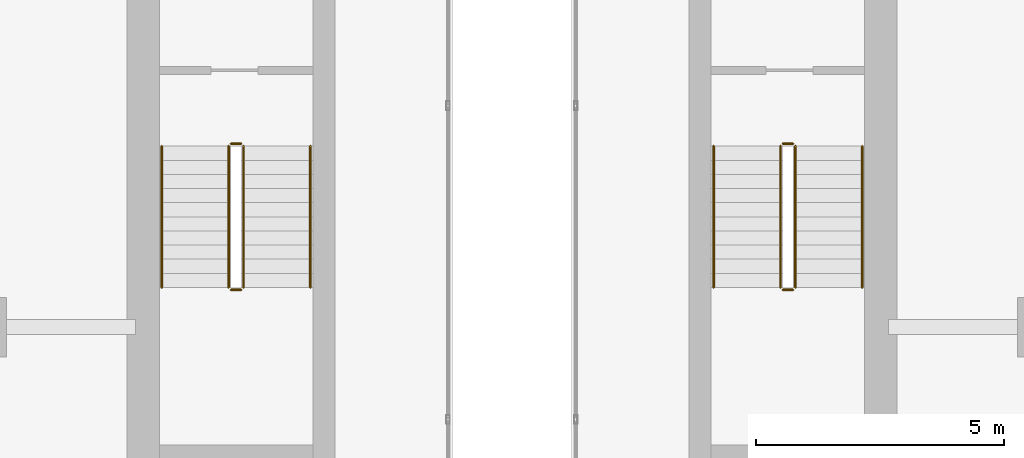
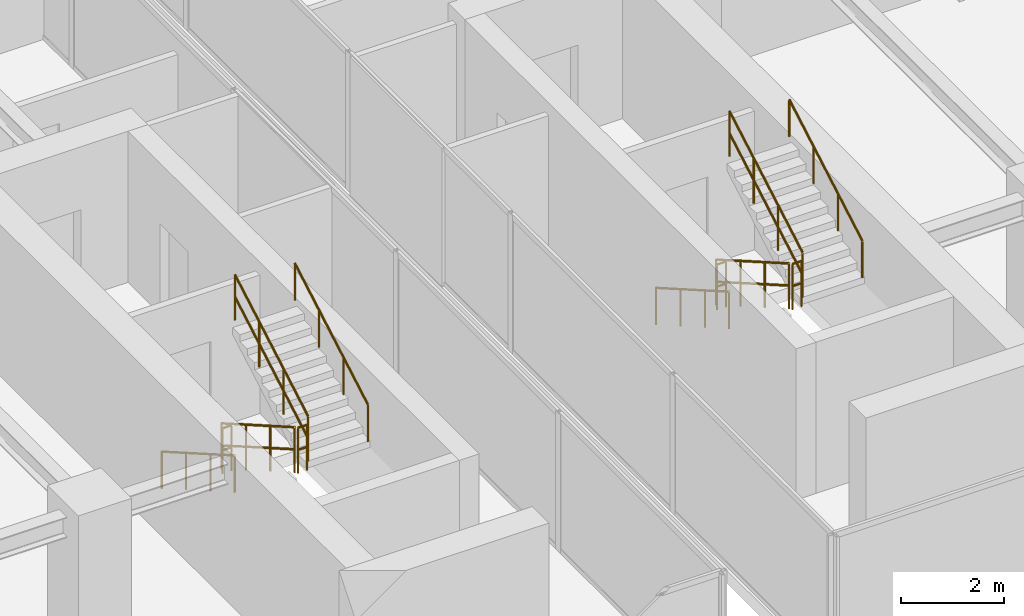
# One storey, part 25 of 25: 12 railings.
"""IFC4 building model written with IfcOpenShell, lengths in metres."""

from ifc_helpers import new_model, si_unit, direction, frame, origin, origin_2d, place, context, subcontext, project, spatial, circle, extrude, material, layer, layer_set, type_object, element, save


model = new_model("IFC4")

# Units and contexts
model_context = context("Model", 3, precision=1e-05, world=origin(), true_north=direction((0.0, 1.0)))
body_context = subcontext(model_context, "Body", "Model", "MODEL_VIEW")
ifc_project = project(units=[si_unit("LENGTHUNIT", "METRE"), si_unit("AREAUNIT", "SQUARE_METRE"), si_unit("VOLUMEUNIT", "CUBIC_METRE"), si_unit("PLANEANGLEUNIT", "RADIAN"), si_unit("MASSUNIT", "GRAM", prefix="KILO")], contexts=[model_context])

# Site, building, storey
site_placement = place(None, origin())
site = spatial("IfcSite", under=ifc_project, at=site_placement, CompositionType="ELEMENT")
building_placement = place(site_placement, origin())
building = spatial("IfcBuilding", under=site, at=building_placement, Name="Krantzveldt Concourse Tower", CompositionType="ELEMENT")
storey_placement = place(building_placement, frame((0.0, 0.0, 374.64990234375)))
storey = spatial("IfcBuildingStorey", under=building, at=storey_placement, Name="L92", CompositionType="ELEMENT", Elevation=374.64990234375)

# Railings
ifc_material = material(Name="Stainless steel 316L", Category="steel")
ifc_layer_1 = layer(ifc_material, 0.06005859375, Name="Stainless steel 316L", Category="steel")
ifc_layer_set_1 = layer_set([ifc_layer_1], Name="Stainless steel 316L (RL-GUARD-1120)")
railing_type_1 = type_object("IfcRailingType", Name="RL-GUARD-1120", PredefinedType="GUARDRAIL", material=ifc_layer_set_1)
railing_1_placement = place(storey_placement, frame((30.280029296875, 19.550048828125, 0.163818359375)))
element("IfcRailing", 1, at=railing_1_placement, inside=storey, type_object=railing_type_1, Name="L92 ST-1 stair guard 1", PredefinedType="GUARDRAIL", context=body_context, shape_type="SweptSolid", body=[
    extrude(circle(Radius=0.02392578125, at=origin_2d()), frame((0.0, 0.0, 1.076171875), z_axis=(0.0, -0.867244780686, 0.497882004468), x_axis=(1.0, 0.0, 0.0)), (0.0, 0.0, 1.0), 3.286376953125),
    extrude(circle(Radius=0.02392578125, at=origin_2d()), frame((0.0, 0.0, 0.550048828125), z_axis=(0.0, -0.867244780686, 0.497882004468), x_axis=(1.0, 0.0, 0.0)), (0.0, 0.0, 1.0), 3.286376953125),
    extrude(circle(Radius=0.02099609375, at=origin_2d()), origin(), (0.0, 0.0, 1.0), 1.052001953125),
    extrude(circle(Radius=0.02099609375, at=origin_2d()), frame((0.0, -0.949951171875, 0.54541015625)), (0.0, 0.0, 1.0), 1.052001953125),
    extrude(circle(Radius=0.02099609375, at=origin_2d()), frame((0.0, -1.900146484375, 1.0908203125)), (0.0, 0.0, 1.0), 1.052001953125),
    extrude(circle(Radius=0.02099609375, at=origin_2d()), frame((0.0, -2.85009765625, 1.63623046875)), (0.0, 0.0, 1.0), 1.052001953125),
])
railing_2_placement = place(storey_placement, frame((30.330078125, 16.64990234375, 1.800048828125)))
element("IfcRailing", 2, at=railing_2_placement, inside=storey, type_object=railing_type_1, Name="L92 ST-1 stair guard 2", PredefinedType="GUARDRAIL", context=body_context, shape_type="SweptSolid", body=[
    extrude(circle(Radius=0.02392578125, at=origin_2d()), frame((0.0, 0.0, 1.076171875), z_axis=(1.0, 0.0, 0.0), x_axis=(0.0, 1.0, 0.0)), (0.0, 0.0, 1.0), 0.199951171875),
    extrude(circle(Radius=0.02392578125, at=origin_2d()), frame((0.0, 0.0, 0.550048828125), z_axis=(1.0, 0.0, 0.0), x_axis=(0.0, 1.0, 0.0)), (0.0, 0.0, 1.0), 0.199951171875),
    extrude(circle(Radius=0.02099609375, at=origin_2d()), origin(), (0.0, 0.0, 1.0), 1.052001953125),
    extrude(circle(Radius=0.02099609375, at=origin_2d()), frame((0.199951171875, 0.0, 0.0)), (0.0, 0.0, 1.0), 1.052001953125),
])
railing_3_placement = place(storey_placement, frame((30.580078125, 16.699951171875, 1.963623046875)))
element("IfcRailing", 3, at=railing_3_placement, inside=storey, type_object=railing_type_1, Name="L92 ST-1 stair guard 3", PredefinedType="GUARDRAIL", context=body_context, shape_type="SweptSolid", body=[
    extrude(circle(Radius=0.02392578125, at=origin_2d()), frame((0.0, 0.0, 1.076171875), z_axis=(0.0, 0.86721270334, 0.497937874806), x_axis=(-1.0, 0.0, 0.0)), (0.0, 0.0, 1.0), 3.28662109375),
    extrude(circle(Radius=0.02392578125, at=origin_2d()), frame((0.0, 0.0, 0.550048828125), z_axis=(0.0, 0.86721270334, 0.497937874806), x_axis=(-1.0, 0.0, 0.0)), (0.0, 0.0, 1.0), 3.28662109375),
    extrude(circle(Radius=0.02099609375, at=origin_2d()), origin(), (0.0, 0.0, 1.0), 1.052001953125),
    extrude(circle(Radius=0.02099609375, at=origin_2d()), frame((0.0, 0.949951171875, 0.54541015625)), (0.0, 0.0, 1.0), 1.052001953125),
    extrude(circle(Radius=0.02099609375, at=origin_2d()), frame((0.0, 1.900146484375, 1.091064453125)), (0.0, 0.0, 1.0), 1.052001953125),
    extrude(circle(Radius=0.02099609375, at=origin_2d()), frame((0.0, 2.85009765625, 1.636474609375)), (0.0, 0.0, 1.0), 1.052001953125),
])
railing_4_placement = place(storey_placement, frame((30.330078125, 19.60009765625, 0.0)))
element("IfcRailing", 4, at=railing_4_placement, inside=storey, type_object=railing_type_1, Name="L92 ST-1 stair guard 4", PredefinedType="GUARDRAIL", context=body_context, shape_type="SweptSolid", body=[
    extrude(circle(Radius=0.02392578125, at=origin_2d()), frame((0.0, 0.0, 1.076171875), z_axis=(1.0, 0.0, 0.0), x_axis=(0.0, 1.0, 0.0)), (0.0, 0.0, 1.0), 0.199951171875),
    extrude(circle(Radius=0.02392578125, at=origin_2d()), frame((0.0, 0.0, 0.550048828125), z_axis=(1.0, 0.0, 0.0), x_axis=(0.0, 1.0, 0.0)), (0.0, 0.0, 1.0), 0.199951171875),
    extrude(circle(Radius=0.02099609375, at=origin_2d()), origin(), (0.0, 0.0, 1.0), 1.052001953125),
    extrude(circle(Radius=0.02099609375, at=origin_2d()), frame((0.199951171875, 0.0, 0.0)), (0.0, 0.0, 1.0), 1.052001953125),
])
railing_5_placement = place(storey_placement, frame((41.419921875, 19.550048828125, 0.163818359375)))
element("IfcRailing", 5, at=railing_5_placement, inside=storey, type_object=railing_type_1, Name="L92 ST-2 stair guard 1", PredefinedType="GUARDRAIL", context=body_context, shape_type="SweptSolid", body=[
    extrude(circle(Radius=0.02392578125, at=origin_2d()), frame((0.0, 0.0, 1.076171875), z_axis=(0.0, -0.867244780686, 0.497882004468), x_axis=(1.0, 0.0, 0.0)), (0.0, 0.0, 1.0), 3.286376953125),
    extrude(circle(Radius=0.02392578125, at=origin_2d()), frame((0.0, 0.0, 0.550048828125), z_axis=(0.0, -0.867244780686, 0.497882004468), x_axis=(1.0, 0.0, 0.0)), (0.0, 0.0, 1.0), 3.286376953125),
    extrude(circle(Radius=0.02099609375, at=origin_2d()), origin(), (0.0, 0.0, 1.0), 1.052001953125),
    extrude(circle(Radius=0.02099609375, at=origin_2d()), frame((0.0, -0.949951171875, 0.54541015625)), (0.0, 0.0, 1.0), 1.052001953125),
    extrude(circle(Radius=0.02099609375, at=origin_2d()), frame((0.0, -1.900146484375, 1.0908203125)), (0.0, 0.0, 1.0), 1.052001953125),
    extrude(circle(Radius=0.02099609375, at=origin_2d()), frame((0.0, -2.85009765625, 1.63623046875)), (0.0, 0.0, 1.0), 1.052001953125),
])
railing_6_placement = place(storey_placement, frame((41.469970703125, 16.64990234375, 1.800048828125)))
element("IfcRailing", 6, at=railing_6_placement, inside=storey, type_object=railing_type_1, Name="L92 ST-2 stair guard 2", PredefinedType="GUARDRAIL", context=body_context, shape_type="SweptSolid", body=[
    extrude(circle(Radius=0.02392578125, at=origin_2d()), frame((0.0, 0.0, 1.076171875), z_axis=(1.0, 0.0, 0.0), x_axis=(0.0, 1.0, 0.0)), (0.0, 0.0, 1.0), 0.199951171875),
    extrude(circle(Radius=0.02392578125, at=origin_2d()), frame((0.0, 0.0, 0.550048828125), z_axis=(1.0, 0.0, 0.0), x_axis=(0.0, 1.0, 0.0)), (0.0, 0.0, 1.0), 0.199951171875),
    extrude(circle(Radius=0.02099609375, at=origin_2d()), origin(), (0.0, 0.0, 1.0), 1.052001953125),
    extrude(circle(Radius=0.02099609375, at=origin_2d()), frame((0.199951171875, 0.0, 0.0)), (0.0, 0.0, 1.0), 1.052001953125),
])
railing_7_placement = place(storey_placement, frame((41.719970703125, 16.699951171875, 1.963623046875)))
element("IfcRailing", 7, at=railing_7_placement, inside=storey, type_object=railing_type_1, Name="L92 ST-2 stair guard 3", PredefinedType="GUARDRAIL", context=body_context, shape_type="SweptSolid", body=[
    extrude(circle(Radius=0.02392578125, at=origin_2d()), frame((0.0, 0.0, 1.076171875), z_axis=(0.0, 0.86721270334, 0.497937874806), x_axis=(-1.0, 0.0, 0.0)), (0.0, 0.0, 1.0), 3.28662109375),
    extrude(circle(Radius=0.02392578125, at=origin_2d()), frame((0.0, 0.0, 0.550048828125), z_axis=(0.0, 0.86721270334, 0.497937874806), x_axis=(-1.0, 0.0, 0.0)), (0.0, 0.0, 1.0), 3.28662109375),
    extrude(circle(Radius=0.02099609375, at=origin_2d()), origin(), (0.0, 0.0, 1.0), 1.052001953125),
    extrude(circle(Radius=0.02099609375, at=origin_2d()), frame((0.0, 0.949951171875, 0.54541015625)), (0.0, 0.0, 1.0), 1.052001953125),
    extrude(circle(Radius=0.02099609375, at=origin_2d()), frame((0.0, 1.900146484375, 1.091064453125)), (0.0, 0.0, 1.0), 1.052001953125),
    extrude(circle(Radius=0.02099609375, at=origin_2d()), frame((0.0, 2.85009765625, 1.636474609375)), (0.0, 0.0, 1.0), 1.052001953125),
])
railing_8_placement = place(storey_placement, frame((41.469970703125, 19.60009765625, 0.0)))
element("IfcRailing", 8, at=railing_8_placement, inside=storey, type_object=railing_type_1, Name="L92 ST-2 stair guard 4", PredefinedType="GUARDRAIL", context=body_context, shape_type="SweptSolid", body=[
    extrude(circle(Radius=0.02392578125, at=origin_2d()), frame((0.0, 0.0, 1.076171875), z_axis=(1.0, 0.0, 0.0), x_axis=(0.0, 1.0, 0.0)), (0.0, 0.0, 1.0), 0.199951171875),
    extrude(circle(Radius=0.02392578125, at=origin_2d()), frame((0.0, 0.0, 0.550048828125), z_axis=(1.0, 0.0, 0.0), x_axis=(0.0, 1.0, 0.0)), (0.0, 0.0, 1.0), 0.199951171875),
    extrude(circle(Radius=0.02099609375, at=origin_2d()), origin(), (0.0, 0.0, 1.0), 1.052001953125),
    extrude(circle(Radius=0.02099609375, at=origin_2d()), frame((0.199951171875, 0.0, 0.0)), (0.0, 0.0, 1.0), 1.052001953125),
])
ifc_layer_2 = layer(ifc_material, 0.050048828125, Name="Stainless steel 316L", Category="steel")
ifc_layer_set_2 = layer_set([ifc_layer_2], Name="Stainless steel 316L (RL-HANDRAIL-920)")
railing_type_2 = type_object("IfcRailingType", Name="RL-HANDRAIL-920", PredefinedType="HANDRAIL", material=ifc_layer_set_2)
railing_9_placement = place(storey_placement, frame((28.929931640625, 19.550048828125, 0.163818359375)))
element("IfcRailing", 9, at=railing_9_placement, inside=storey, type_object=railing_type_2, Name="L92 ST-1 stair handrail 1", PredefinedType="HANDRAIL", context=body_context, shape_type="SweptSolid", body=[
    extrude(circle(Radius=0.02392578125, at=origin_2d()), frame((0.0, 0.0, 0.8759765625), z_axis=(0.0, -0.867244780686, 0.497882004468), x_axis=(1.0, 0.0, 0.0)), (0.0, 0.0, 1.0), 3.286376953125),
    extrude(circle(Radius=0.02099609375, at=origin_2d()), origin(), (0.0, 0.0, 1.0), 0.851806640625),
    extrude(circle(Radius=0.02099609375, at=origin_2d()), frame((0.0, -0.949951171875, 0.54541015625)), (0.0, 0.0, 1.0), 0.851806640625),
    extrude(circle(Radius=0.02099609375, at=origin_2d()), frame((0.0, -1.900146484375, 1.0908203125)), (0.0, 0.0, 1.0), 0.851806640625),
    extrude(circle(Radius=0.02099609375, at=origin_2d()), frame((0.0, -2.85009765625, 1.63623046875)), (0.0, 0.0, 1.0), 0.851806640625),
])
railing_10_placement = place(storey_placement, frame((31.929931640625, 16.699951171875, 1.963623046875)))
element("IfcRailing", 10, at=railing_10_placement, inside=storey, type_object=railing_type_2, Name="L92 ST-1 stair handrail 2", PredefinedType="HANDRAIL", context=body_context, shape_type="SweptSolid", body=[
    extrude(circle(Radius=0.02392578125, at=origin_2d()), frame((0.0, 0.0, 0.8759765625), z_axis=(0.0, 0.86721270334, 0.497937874806), x_axis=(-1.0, 0.0, 0.0)), (0.0, 0.0, 1.0), 3.28662109375),
    extrude(circle(Radius=0.02099609375, at=origin_2d()), origin(), (0.0, 0.0, 1.0), 0.851806640625),
    extrude(circle(Radius=0.02099609375, at=origin_2d()), frame((0.0, 0.949951171875, 0.54541015625)), (0.0, 0.0, 1.0), 0.851806640625),
    extrude(circle(Radius=0.02099609375, at=origin_2d()), frame((0.0, 1.900146484375, 1.091064453125)), (0.0, 0.0, 1.0), 0.851806640625),
    extrude(circle(Radius=0.02099609375, at=origin_2d()), frame((0.0, 2.85009765625, 1.636474609375)), (0.0, 0.0, 1.0), 0.851806640625),
])
railing_11_placement = place(storey_placement, frame((40.070068359375, 19.550048828125, 0.163818359375)))
element("IfcRailing", 11, at=railing_11_placement, inside=storey, type_object=railing_type_2, Name="L92 ST-2 stair handrail 1", PredefinedType="HANDRAIL", context=body_context, shape_type="SweptSolid", body=[
    extrude(circle(Radius=0.02392578125, at=origin_2d()), frame((0.0, 0.0, 0.8759765625), z_axis=(0.0, -0.867244780686, 0.497882004468), x_axis=(1.0, 0.0, 0.0)), (0.0, 0.0, 1.0), 3.286376953125),
    extrude(circle(Radius=0.02099609375, at=origin_2d()), origin(), (0.0, 0.0, 1.0), 0.851806640625),
    extrude(circle(Radius=0.02099609375, at=origin_2d()), frame((0.0, -0.949951171875, 0.54541015625)), (0.0, 0.0, 1.0), 0.851806640625),
    extrude(circle(Radius=0.02099609375, at=origin_2d()), frame((0.0, -1.900146484375, 1.0908203125)), (0.0, 0.0, 1.0), 0.851806640625),
    extrude(circle(Radius=0.02099609375, at=origin_2d()), frame((0.0, -2.85009765625, 1.63623046875)), (0.0, 0.0, 1.0), 0.851806640625),
])
railing_12_placement = place(storey_placement, frame((43.070068359375, 16.699951171875, 1.963623046875)))
element("IfcRailing", 12, at=railing_12_placement, inside=storey, type_object=railing_type_2, Name="L92 ST-2 stair handrail 2", PredefinedType="HANDRAIL", context=body_context, shape_type="SweptSolid", body=[
    extrude(circle(Radius=0.02392578125, at=origin_2d()), frame((0.0, 0.0, 0.8759765625), z_axis=(0.0, 0.86721270334, 0.497937874806), x_axis=(-1.0, 0.0, 0.0)), (0.0, 0.0, 1.0), 3.28662109375),
    extrude(circle(Radius=0.02099609375, at=origin_2d()), origin(), (0.0, 0.0, 1.0), 0.851806640625),
    extrude(circle(Radius=0.02099609375, at=origin_2d()), frame((0.0, 0.949951171875, 0.54541015625)), (0.0, 0.0, 1.0), 0.851806640625),
    extrude(circle(Radius=0.02099609375, at=origin_2d()), frame((0.0, 1.900146484375, 1.091064453125)), (0.0, 0.0, 1.0), 0.851806640625),
    extrude(circle(Radius=0.02099609375, at=origin_2d()), frame((0.0, 2.85009765625, 1.636474609375)), (0.0, 0.0, 1.0), 0.851806640625),
])

save(model, "model.ifc")
